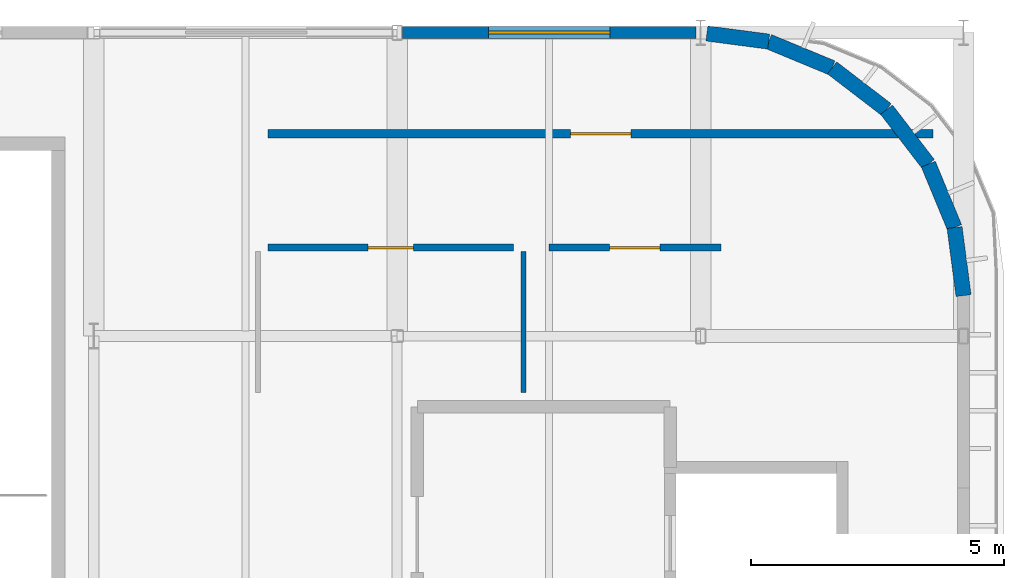
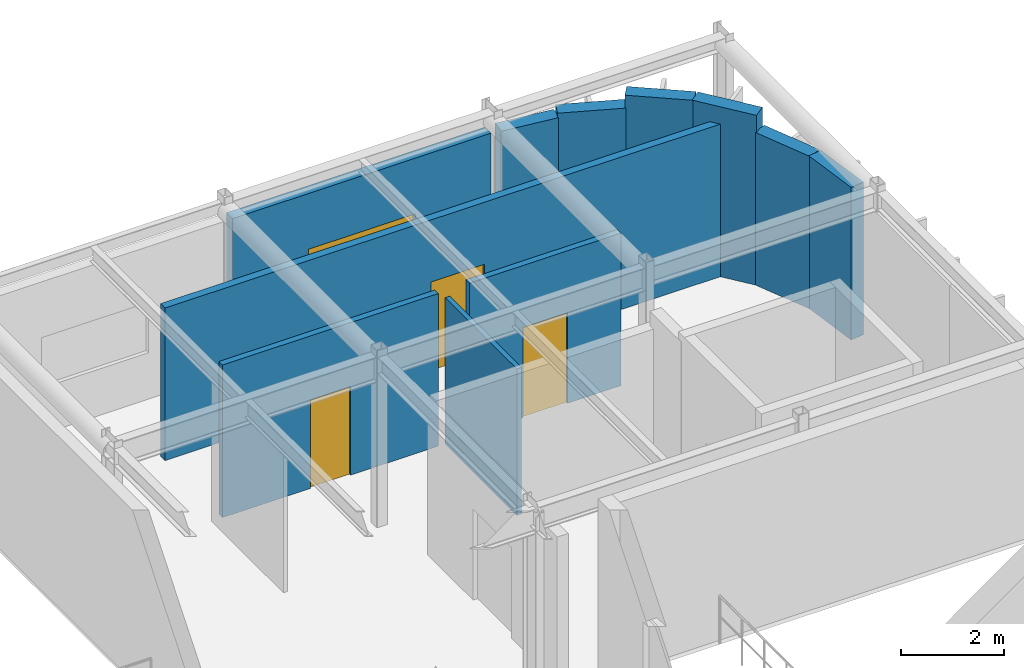
# One storey, part 10 of 14: 11 walls, 3 doors, 1 window, 4 openings.
"""IFC4 building model written with IfcOpenShell, lengths in metres."""

from ifc_helpers import new_model, si_unit, direction, frame, frame_2d, origin, place, context, subcontext, project, spatial, rectangle, extrude, material, layer, layer_set, type_object, element, fill, save


model = new_model("IFC4")

# Units and contexts
model_context = context("Model", 3, precision=1e-05, world=origin(), true_north=direction((0.0, 1.0)))
body_context = subcontext(model_context, "Body", "Model", "MODEL_VIEW")
ifc_project = project(units=[si_unit("LENGTHUNIT", "METRE"), si_unit("AREAUNIT", "SQUARE_METRE"), si_unit("VOLUMEUNIT", "CUBIC_METRE"), si_unit("PLANEANGLEUNIT", "RADIAN"), si_unit("MASSUNIT", "GRAM", prefix="KILO")], contexts=[model_context])

# Site, building, storey
site_placement = place(None, origin())
site = spatial("IfcSite", under=ifc_project, at=site_placement, CompositionType="ELEMENT")
building_placement = place(site_placement, origin())
building = spatial("IfcBuilding", under=site, at=building_placement, Name="Varnakota Square Police Headquarters", CompositionType="ELEMENT")
storey_placement = place(building_placement, frame((0.0, 0.0, 30.0)))
storey = spatial("IfcBuildingStorey", under=building, at=storey_placement, Name="L07", CompositionType="ELEMENT", Elevation=30.0)

# Wall, opening, window
ifc_material_1 = material(Name="Concrete M40", Category="concrete")
ifc_layer_1 = layer(ifc_material_1, 0.239990234375, Name="Concrete M40")
ifc_layer_set_1 = layer_set([ifc_layer_1], Name="Concrete M40")
wall_type_1 = type_object("IfcWallType", Name="WL-EXT-240", PredefinedType="SOLIDWALL", material=ifc_layer_set_1)
wall_1_placement = place(storey_placement, frame((150.10400390625, 39.0, 0.0), z_axis=(0.0, 0.0, 1.0), x_axis=(1.0, 0.0, 0.0)))
wall_1 = element("IfcWall", 1, at=wall_1_placement, inside=storey, type_object=wall_type_1, Name="Exterior wall EW-L07-0364", PredefinedType="SOLIDWALL", context=body_context, shape_type="SweptSolid", body=[
    extrude(rectangle(XDim=5.802001953125, YDim=0.239990234375, at=frame_2d((2.90087890625, 0.0))), origin(), (0.0, 0.0, 1.0), 3.62353515625),
])
opening_1_placement = place(wall_1_placement, frame((1.700927734375, 0.0, 1.10009765625)))
opening_1 = element("IfcOpeningElement", 2, at=opening_1_placement, cuts=wall_1, Name="Opening W06", PredefinedType="OPENING", context=body_context, shape_type="SweptSolid", body=[
    extrude(rectangle(XDim=2.39990234375, YDim=1.199951171875, at=frame_2d((1.199951171875, 0.60009765625))), frame((0.0, 0.1298828125, 0.0), z_axis=(0.0, -1.0, 0.0), x_axis=(1.0, 0.0, 0.0)), (0.0, 0.0, 1.0), 0.260009765625),
])
ifc_material_2 = material(Name="Thermally Broken Aluminium Double-Glazed Window", Category="aluminium")
window_type = type_object("IfcWindowType", Name="WIN-06", PartitioningType="SINGLE_PANEL", PredefinedType="WINDOW", material=ifc_material_2)
window_placement = place(opening_1_placement, origin())
window = element("IfcWindow", 3, at=window_placement, inside=storey, type_object=window_type, Name="Window WN-L07-0064", OverallHeight=1.199951171875, OverallWidth=2.39990234375, PartitioningType="SINGLE_PANEL", PredefinedType="WINDOW", context=body_context, shape_type="SweptSolid", body=[
    extrude(rectangle(XDim=2.39990234375, YDim=1.199951171875, at=frame_2d((1.199951171875, 0.60009765625))), frame((0.0, 0.030029296875, 0.0), z_axis=(0.0, -1.0, 0.0), x_axis=(1.0, 0.0, 0.0)), (0.0, 0.0, 1.0), 0.06005859375),
])
fill(opening_1, window)

# Walls
ifc_material_3 = material(Name="Precast concrete M40", Category="concrete")
ifc_layer_2 = layer(ifc_material_3, 0.300048828125, Name="Precast concrete M40")
ifc_layer_set_2 = layer_set([ifc_layer_2], Name="Precast concrete M40")
wall_type_2 = type_object("IfcWallType", Name="WL-EXT-300", PredefinedType="SOLIDWALL", material=ifc_layer_set_2)
wall_2_placement = place(storey_placement, frame((161.199951171875, 33.800048828125, 0.0), z_axis=(0.0, 0.0, 1.0), x_axis=(-0.130561507967, 0.991440211328, 0.0)))
element("IfcWall", 4, at=wall_2_placement, inside=storey, type_object=wall_type_2, Name="Exterior wall EW-L07-0377", PredefinedType="SOLIDWALL", context=body_context, shape_type="SweptSolid", body=[
    extrude(rectangle(XDim=1.357666015625, YDim=0.300048828125, at=frame_2d((0.6787109375, 0.0))), origin(), (0.0, 0.0, 1.0), 3.62353515625),
])
wall_3_placement = place(storey_placement, frame((161.022705078125, 35.14599609375, 0.0), z_axis=(0.0, 0.0, 1.0), x_axis=(-0.382621882407, 0.923905024937, 0.0)))
element("IfcWall", 5, at=wall_3_placement, inside=storey, type_object=wall_type_2, Name="Exterior wall EW-L07-0378", PredefinedType="SOLIDWALL", context=body_context, shape_type="SweptSolid", body=[
    extrude(rectangle(XDim=1.357177734375, YDim=0.300048828125, at=frame_2d((0.6787109375, 0.0))), origin(), (0.0, 0.0, 1.0), 3.62353515625),
])
wall_4_placement = place(storey_placement, frame((160.50341796875, 36.39990234375, 0.0), z_axis=(0.0, 0.0, 1.0), x_axis=(-0.60871087169, 0.793392131727, 0.0)))
element("IfcWall", 6, at=wall_4_placement, inside=storey, type_object=wall_type_2, Name="Exterior wall EW-L07-0379", PredefinedType="SOLIDWALL", context=body_context, shape_type="SweptSolid", body=[
    extrude(rectangle(XDim=1.357666015625, YDim=0.300048828125, at=frame_2d((0.6787109375, 0.0))), origin(), (0.0, 0.0, 1.0), 4.034912109375),
])
wall_5_placement = place(storey_placement, frame((159.677001953125, 37.47705078125, 0.0), z_axis=(0.0, 0.0, 1.0), x_axis=(-0.793412351971, 0.608684515772, 0.0)))
element("IfcWall", 7, at=wall_5_placement, inside=storey, type_object=wall_type_2, Name="Exterior wall EW-L07-0380", PredefinedType="SOLIDWALL", context=body_context, shape_type="SweptSolid", body=[
    extrude(rectangle(XDim=1.357421875, YDim=0.300048828125, at=frame_2d((0.6787109375, 0.0))), origin(), (0.0, 0.0, 1.0), 4.034912109375),
])
wall_6_placement = place(storey_placement, frame((158.60009765625, 38.30322265625, 0.0), z_axis=(0.0, 0.0, 1.0), x_axis=(-0.92386777328, 0.382711820428, 0.0)))
element("IfcWall", 8, at=wall_6_placement, inside=storey, type_object=wall_type_2, Name="Exterior wall EW-L07-0381", PredefinedType="SOLIDWALL", context=body_context, shape_type="SweptSolid", body=[
    extrude(rectangle(XDim=1.357421875, YDim=0.300048828125, at=frame_2d((0.6787109375, 0.0))), origin(), (0.0, 0.0, 1.0), 3.72998046875),
])
wall_7_placement = place(storey_placement, frame((157.345947265625, 38.82275390625, 0.0), z_axis=(0.0, 0.0, 1.0), x_axis=(-0.991432693702, 0.130618581597, 0.0)))
element("IfcWall", 9, at=wall_7_placement, inside=storey, type_object=wall_type_2, Name="Exterior wall EW-L07-0382", PredefinedType="SOLIDWALL", context=body_context, shape_type="SweptSolid", body=[
    extrude(rectangle(XDim=1.231689453125, YDim=0.300048828125, at=frame_2d((0.61572265625, 0.0))), origin(), (0.0, 0.0, 1.0), 3.62353515625),
])
ifc_material_4 = material(Name="Glazed Clean-Lab Modular Partition", Category="gypsum")
ifc_layer_3 = layer(ifc_material_4, 0.10498046875, Name="Glazed Clean-Lab Modular Partition")
ifc_layer_set_3 = layer_set([ifc_layer_3], Name="Glazed Clean-Lab Modular Partition")
wall_type_3 = type_object("IfcWallType", Name="WL-PRT-105", PredefinedType="PARTITIONING", material=ifc_layer_set_3)
wall_8_placement = place(storey_placement, frame((152.5, 34.669921875, 0.0), z_axis=(0.0, 0.0, 1.0), x_axis=(0.0, -1.0, 0.0)))
element("IfcWall", 10, at=wall_8_placement, inside=storey, type_object=wall_type_3, Name="Interior dividing partition PW-L07-0277 (L07 Operations Women Washroom WC)", PredefinedType="PARTITIONING", context=body_context, shape_type="SweptSolid", body=[
    extrude(rectangle(XDim=2.7900390625, YDim=0.10498046875, at=frame_2d((1.39501953125, 0.0))), origin(), (0.0, 0.0, 1.0), 3.47998046875),
])

# Wall, opening, door
ifc_material_5 = material(Name="Acoustic Insulated Metal-Stud Partition", Category="gypsum")
ifc_layer_4 = layer(ifc_material_5, 0.139892578125, Name="Acoustic Insulated Metal-Stud Partition")
ifc_layer_set_4 = layer_set([ifc_layer_4], Name="Acoustic Insulated Metal-Stud Partition")
wall_type_4 = type_object("IfcWallType", Name="WL-PRT-140", PredefinedType="PARTITIONING", material=ifc_layer_set_4)
wall_9_placement = place(storey_placement, frame((147.449951171875, 34.75, 0.0), z_axis=(0.0, 0.0, 1.0), x_axis=(1.0, 0.0, 0.0)))
wall_9 = element("IfcWall", 11, at=wall_9_placement, inside=storey, type_object=wall_type_4, Name="Interior partition PW-L07-0264 (L07 Operations Women Washroom WC)", PredefinedType="PARTITIONING", context=body_context, shape_type="SweptSolid", body=[
    extrude(rectangle(XDim=4.85009765625, YDim=0.139892578125, at=frame_2d((2.425048828125, 0.0))), origin(), (0.0, 0.0, 1.0), 3.62353515625),
])
opening_2_placement = place(wall_9_placement, frame((1.97509765625, 0.0, 0.0)))
opening_2 = element("IfcOpeningElement", 12, at=opening_2_placement, cuts=wall_9, Name="Opening D300", PredefinedType="OPENING", context=body_context, shape_type="SweptSolid", body=[
    extrude(rectangle(XDim=0.89990234375, YDim=2.10009765625, at=frame_2d((0.449951171875, 1.050048828125))), frame((0.0, 0.079833984375, 0.0), z_axis=(0.0, -1.0, 0.0), x_axis=(1.0, 0.0, 0.0)), (0.0, 0.0, 1.0), 0.159912109375),
])
ifc_material_6 = material(Name="High-Pressure Moisture-Resistant Compact Laminate")
door_type_1 = type_object("IfcDoorType", Name="DR-WC-090", OperationType="NOTDEFINED", PredefinedType="DOOR", material=ifc_material_6)
door_1_placement = place(opening_2_placement, origin())
door_1 = element("IfcDoor", 13, at=door_1_placement, inside=storey, type_object=door_type_1, Name="Room door D300 (L07 Operations Women Washroom WC)", OperationType="SINGLE_SWING_LEFT", OverallHeight=2.10009765625, OverallWidth=0.89990234375, PredefinedType="DOOR", context=body_context, shape_type="SweptSolid", body=[
    extrude(rectangle(XDim=0.89990234375, YDim=2.10009765625, at=frame_2d((0.449951171875, 1.050048828125))), frame((0.0, 0.02490234375, 0.0), z_axis=(0.0, -1.0, 0.0), x_axis=(1.0, 0.0, 0.0)), (0.0, 0.0, 1.0), 0.050048828125),
])
fill(opening_2, door_1)

wall_10_placement = place(storey_placement, frame((153.0, 34.75, 0.0), z_axis=(0.0, 0.0, 1.0), x_axis=(1.0, 0.0, 0.0)))
wall_10 = element("IfcWall", 14, at=wall_10_placement, inside=storey, type_object=wall_type_4, Name="Interior partition PW-L07-0271 (Commissionerate Gazette Archive Store)", PredefinedType="PARTITIONING", context=body_context, shape_type="SweptSolid", body=[
    extrude(rectangle(XDim=3.39990234375, YDim=0.139892578125, at=frame_2d((1.699951171875, 0.0))), origin(), (0.0, 0.0, 1.0), 3.62353515625),
])
opening_3_placement = place(wall_10_placement, frame((1.199951171875, 0.0, 0.0)))
opening_3 = element("IfcOpeningElement", 15, at=opening_3_placement, cuts=wall_10, Name="Opening D307", PredefinedType="OPENING", context=body_context, shape_type="SweptSolid", body=[
    extrude(rectangle(XDim=1.0, YDim=2.14990234375, at=frame_2d((0.5, 1.074951171875))), frame((0.0, 0.079833984375, 0.0), z_axis=(0.0, -1.0, 0.0), x_axis=(1.0, 0.0, 0.0)), (0.0, 0.0, 1.0), 0.159912109375),
])
ifc_material_7 = material(Name="Solid-Core Teak Veneer Hardwood", Category="wood")
door_type_2 = type_object("IfcDoorType", Name="DR-OFF-100", OperationType="NOTDEFINED", PredefinedType="DOOR", material=ifc_material_7)
door_2_placement = place(opening_3_placement, origin())
door_2 = element("IfcDoor", 16, at=door_2_placement, inside=storey, type_object=door_type_2, Name="Room door D307 (Commissionerate Gazette Archive Store)", OperationType="SINGLE_SWING_RIGHT", OverallHeight=2.14990234375, OverallWidth=1.0, PredefinedType="DOOR", context=body_context, shape_type="SweptSolid", body=[
    extrude(rectangle(XDim=1.0, YDim=2.14990234375, at=frame_2d((0.5, 1.074951171875))), frame((0.0, 0.02490234375, 0.0), z_axis=(0.0, -1.0, 0.0), x_axis=(1.0, 0.0, 0.0)), (0.0, 0.0, 1.0), 0.050048828125),
])
fill(opening_3, door_2)

ifc_material_8 = material(Name="Autoclaved Aerated Concrete Blockwork", Category="masonry")
ifc_layer_5 = layer(ifc_material_8, 0.175048828125, Name="Autoclaved Aerated Concrete Blockwork")
ifc_layer_set_5 = layer_set([ifc_layer_5], Name="Autoclaved Aerated Concrete Blockwork")
wall_type_5 = type_object("IfcWallType", Name="WL-PRT-175F", PredefinedType="PARTITIONING", material=ifc_layer_set_5)
wall_11_placement = place(storey_placement, frame((160.60009765625, 37.0, 0.0), z_axis=(0.0, 0.0, 1.0), x_axis=(-1.0, 0.0, 0.0)))
wall_11 = element("IfcWall", 17, at=wall_11_placement, inside=storey, type_object=wall_type_5, Name="Interior partition PW-L07-0272 (Strategic Intelligence Analytics Laboratory)", PredefinedType="PARTITIONING", context=body_context, shape_type="SweptSolid", body=[
    extrude(rectangle(XDim=13.150146484375, YDim=0.175048828125, at=frame_2d((6.5751953125, 0.0))), origin(), (0.0, 0.0, 1.0), 3.62353515625),
])
opening_4_placement = place(wall_11_placement, frame((5.97509765625, 0.0, 0.0)))
opening_4 = element("IfcOpeningElement", 18, at=opening_4_placement, cuts=wall_11, Name="Opening D308", PredefinedType="OPENING", context=body_context, shape_type="SweptSolid", body=[
    extrude(rectangle(XDim=1.199951171875, YDim=2.14990234375, at=frame_2d((0.60009765625, 1.074951171875))), frame((0.0, 0.097412109375, 0.0), z_axis=(0.0, -1.0, 0.0), x_axis=(1.0, 0.0, 0.0)), (0.0, 0.0, 1.0), 0.195068359375),
])
ifc_material_9 = material(Name="Phenolic-Faced Fire-Rated Composite")
door_type_3 = type_object("IfcDoorType", Name="DR-LAB-120", OperationType="NOTDEFINED", PredefinedType="DOOR", material=ifc_material_9)
door_3_placement = place(opening_4_placement, origin())
door_3 = element("IfcDoor", 19, at=door_3_placement, inside=storey, type_object=door_type_3, Name="Room door D308 (Strategic Intelligence Analytics Laboratory)", OperationType="SINGLE_SWING_LEFT", OverallHeight=2.14990234375, OverallWidth=1.199951171875, PredefinedType="DOOR", context=body_context, shape_type="SweptSolid", body=[
    extrude(rectangle(XDim=1.199951171875, YDim=2.14990234375, at=frame_2d((0.60009765625, 1.074951171875))), frame((0.0, 0.02490234375, 0.0), z_axis=(0.0, -1.0, 0.0), x_axis=(1.0, 0.0, 0.0)), (0.0, 0.0, 1.0), 0.050048828125),
])
fill(opening_4, door_3)

save(model, "model.ifc")
